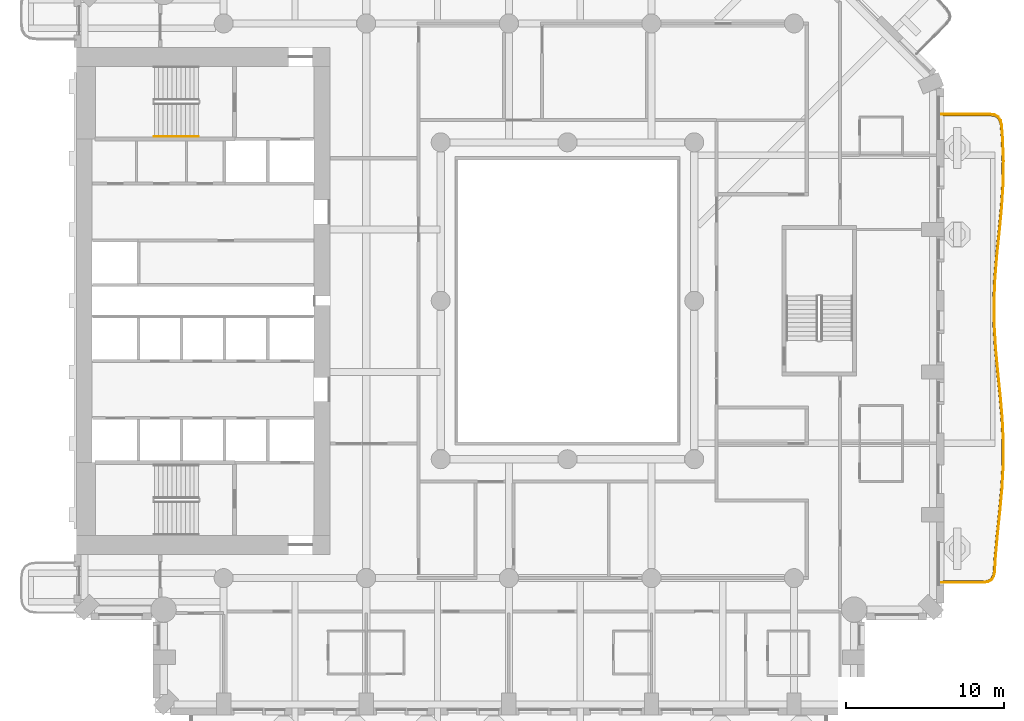
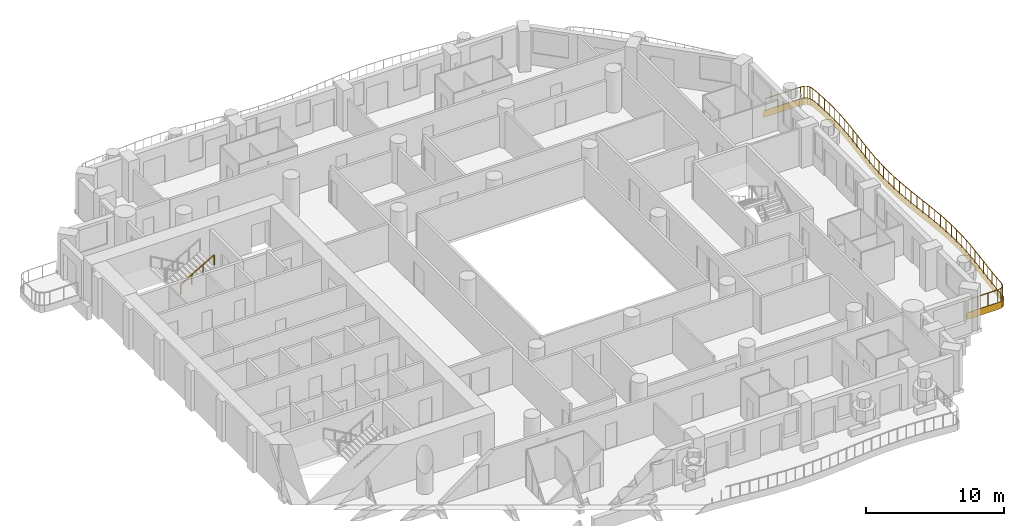
# One storey, part 15 of 19: 2 railings, 1 covering.
"""IFC4 building model written with IfcOpenShell, lengths in metres."""

import ifcopenshell
import ifcopenshell.guid

model = None  # the IFC model being written
_history = None  # IfcOwnerHistory: only IFC2X3 demands one
_inside = {}  # id of a spatial element -> (the spatial element, [elements in it])
_under = {}  # id of a project, library or spatial element -> (it, [spatial elements below it])
_declared = {}  # id of a project -> (the project, [libraries it declares])
_typed = {}  # id of a type object -> (the type object, [elements of that type])
_made_of = {}  # id of a material, layer set ... -> (it, [elements and type objects made of it])


def new_model(schema):
    """Start an empty IFC model of exactly this schema.

    Asked for "IFC4X3", IfcOpenShell would pick the latest addendum, in which some entities
    have other attributes; the version numbers below select the first issue.
    IFC2X3 requires an IfcOwnerHistory on every rooted entity: one is made here for all.
    """
    global model, _history
    if schema == "IFC4X3":
        model = ifcopenshell.file(schema_version=(4, 3, 0, 0))
    else:
        model = ifcopenshell.file(schema=schema)
    _inside.clear()
    _under.clear()
    _declared.clear()
    _typed.clear()
    _made_of.clear()
    _history = None
    if model.schema == "IFC2X3":
        org = make("IfcOrganization", Name="unknown")
        user = make(
            "IfcPersonAndOrganization",
            ThePerson=make("IfcPerson", FamilyName="unknown"),
            TheOrganization=org,
        )
        app = make(
            "IfcApplication",
            ApplicationDeveloper=org,
            Version="unknown",
            ApplicationFullName="unknown",
            ApplicationIdentifier="unknown",
        )
        _history = make(
            "IfcOwnerHistory",
            OwningUser=user,
            OwningApplication=app,
            ChangeAction="ADDED",
            CreationDate=0,
        )
    return model


def make(cls, **values):
    """One entity of the class cls with the attributes given. An attribute that is None is left unset."""
    return model.create_entity(
        cls, **{name: value for name, value in values.items() if value is not None}
    )


def rooted(cls, **values):
    """An entity with a GlobalId (a new one), such as an element, a storey or a relation."""
    return make(cls, GlobalId=ifcopenshell.guid.new(), OwnerHistory=_history, **values)


def si_unit(unit_type, name, prefix=None):
    """IfcSIUnit, for example si_unit("LENGTHUNIT", "METRE", prefix="MILLI")."""
    return make("IfcSIUnit", UnitType=unit_type, Prefix=prefix, Name=name)


def assignment(units):
    """IfcUnitAssignment: the units of a project."""
    return None if units is None else make("IfcUnitAssignment", Units=units)


def point(xyz):
    """IfcCartesianPoint."""
    return None if xyz is None else make("IfcCartesianPoint", Coordinates=xyz)


def direction(xyz):
    """IfcDirection."""
    return None if xyz is None else make("IfcDirection", DirectionRatios=xyz)


def frame(location, z_axis=None, x_axis=None):
    """IfcAxis2Placement3D, a coordinate frame: its origin and axes. An axis left out is left unset."""
    return make(
        "IfcAxis2Placement3D",
        Location=point(location),
        Axis=direction(z_axis),
        RefDirection=direction(x_axis),
    )


def frame_2d(location, x_axis=None):
    """IfcAxis2Placement2D, a coordinate frame in the plane: its origin and x axis."""
    return make(
        "IfcAxis2Placement2D", Location=point(location), RefDirection=direction(x_axis)
    )


def origin():
    """The frame at (0, 0, 0) with its axes left unset."""
    return frame((0.0, 0.0, 0.0))


def origin_2d():
    """The frame at (0, 0) in the plane with its x axis left unset."""
    return frame_2d((0.0, 0.0))


def place(relative_to, where):
    """IfcLocalPlacement: puts the frame where relative to a parent placement (None: the world)."""
    return make(
        "IfcLocalPlacement", PlacementRelTo=relative_to, RelativePlacement=where
    )


def context(
    kind, dimensions, precision=None, world=None, true_north=None, identifier=None
):
    """IfcGeometricRepresentationContext, for example the 3D "Model" context."""
    return make(
        "IfcGeometricRepresentationContext",
        ContextIdentifier=identifier,
        ContextType=kind,
        CoordinateSpaceDimension=dimensions,
        Precision=precision,
        WorldCoordinateSystem=world,
        TrueNorth=true_north,
    )


def subcontext(parent, identifier, kind, view, scale=None):
    """IfcGeometricRepresentationSubContext, for example "Body" below "Model"."""
    return make(
        "IfcGeometricRepresentationSubContext",
        ContextIdentifier=identifier,
        ContextType=kind,
        ParentContext=parent,
        TargetScale=scale,
        TargetView=view,
    )


def project(units=None, contexts=None):
    """IfcProject with its units and contexts."""
    return rooted(
        "IfcProject",
        Name="project",
        RepresentationContexts=contexts,
        UnitsInContext=assignment(units),
    )


def spatial(cls, under=None, at=None, **own):
    """A site, building, storey or space (cls), placed at a placement, below another one or the project."""
    s = rooted(cls, ObjectPlacement=at, **own)
    if under is not None:
        _under.setdefault(under.id(), (under, []))[1].append(s)
    return s


def polyline(points):
    """IfcPolyline through the points."""
    return make("IfcPolyline", Points=[point(p) for p in points])


def profile(cls, at=None, kind="AREA", **sizes):
    """A parametric profile (cls). Its sizes go by their IFC names, for example OverallWidth=200.0."""
    return make(cls, ProfileType=kind, Position=at, **sizes)


def rectangle(**sizes):
    """IfcRectangleProfileDef."""
    return profile("IfcRectangleProfileDef", **sizes)


def outline(outer, holes=None, kind="AREA"):
    """IfcArbitraryClosedProfileDef: a profile drawn as a closed curve; with holes, ...WithVoids."""
    if holes is None:
        return make("IfcArbitraryClosedProfileDef", ProfileType=kind, OuterCurve=outer)
    return make(
        "IfcArbitraryProfileDefWithVoids",
        ProfileType=kind,
        OuterCurve=outer,
        InnerCurves=holes,
    )


def extrude(swept, where, along, depth):
    """IfcExtrudedAreaSolid: the profile swept, set in the frame where, extruded along a direction by depth."""
    return make(
        "IfcExtrudedAreaSolid",
        SweptArea=swept,
        Position=where,
        ExtrudedDirection=direction(along),
        Depth=depth,
    )


def shape(context_of_items, identifier, shape_type, items):
    """IfcShapeRepresentation: the items that make up one representation, for example the "Body"."""
    return make(
        "IfcShapeRepresentation",
        ContextOfItems=context_of_items,
        RepresentationIdentifier=identifier,
        RepresentationType=shape_type,
        Items=items,
    )


def material(Name=None, Category=None):
    """IfcMaterial."""
    return make("IfcMaterial", Name=Name, Category=Category)


def layer(
    of_material, thickness, ventilated=None, Name=None, Category=None, Priority=None
):
    """IfcMaterialLayer: one layer of a wall or slab, of a material (None: an air gap)."""
    return make(
        "IfcMaterialLayer",
        Material=of_material,
        LayerThickness=thickness,
        IsVentilated=ventilated,
        Name=Name,
        Category=Category,
        Priority=Priority,
    )


def layer_set(layers, Name=None):
    """IfcMaterialLayerSet."""
    return make("IfcMaterialLayerSet", MaterialLayers=layers, LayerSetName=Name)


def made_of(thing, what):
    """Note that an element or type object is made of a material, layer set ...; save() writes the relation."""
    if what is not None:
        _made_of.setdefault(what.id(), (what, []))[1].append(thing)
    return thing


def type_object(cls, material=None, **own):
    """A type object (cls), such as IfcWallType, which elements share."""
    return made_of(rooted(cls, **own), material)


def element(
    cls,
    number,
    at=None,
    inside=None,
    cuts=None,
    type_object=None,
    material=None,
    context=None,
    identifier="Body",
    shape_type=None,
    held_by="IfcProductDefinitionShape",
    body=None,
    shapes=None,
    **own,
):
    """One element of the class cls, such as IfcWall. Its Tag is "e" and its number.

    at: its placement. inside: the storey or other place that contains it. cuts: it is an
    opening in that element (IfcRelVoidsElement). A single representation is given by context,
    identifier, shape_type and body (its items); several are given by shapes. held_by: the class
    of the entity that holds the representations. save() writes the other relations.
    """
    e = rooted(cls, Tag="e%d" % number, ObjectPlacement=at, **own)
    if body is not None:
        shapes = [shape(context, identifier, shape_type, body)]
    if shapes is not None:
        e.Representation = make(held_by, Representations=shapes)
    if inside is not None:
        _inside.setdefault(inside.id(), (inside, []))[1].append(e)
    if cuts is not None:
        rooted(
            "IfcRelVoidsElement", RelatingBuildingElement=cuts, RelatedOpeningElement=e
        )
    if type_object is not None:
        _typed.setdefault(type_object.id(), (type_object, []))[1].append(e)
    return made_of(e, material)


def aggregate(whole, parts):
    """IfcRelAggregates: a whole, such as a stair, and the parts it consists of."""
    return rooted("IfcRelAggregates", RelatingObject=whole, RelatedObjects=parts)


def save(model, path):
    """Write the relations noted so far, then the file.

    IfcRelAggregates (storeys below a building ...), IfcRelContainedInSpatialStructure (elements
    in a storey), IfcRelDefinesByType, IfcRelAssociatesMaterial and IfcRelDeclares: one each for
    every whole, place, type object, material and project.
    """
    for whole, parts in _under.values():
        aggregate(whole, parts)
    for where, things in _inside.values():
        rooted(
            "IfcRelContainedInSpatialStructure",
            RelatedElements=things,
            RelatingStructure=where,
        )
    for kind, things in _typed.values():
        rooted("IfcRelDefinesByType", RelatedObjects=things, RelatingType=kind)
    for what, things in _made_of.values():
        rooted("IfcRelAssociatesMaterial", RelatedObjects=things, RelatingMaterial=what)
    for by, libraries in _declared.values():
        rooted("IfcRelDeclares", RelatingContext=by, RelatedDefinitions=libraries)
    model.write(path)


model = new_model("IFC4")

# Units and contexts
model_context = context("Model", 3, precision=1e-05, world=origin(), true_north=direction((0.0, 1.0)))
body_context = subcontext(model_context, "Body", "Model", "MODEL_VIEW")
ifc_project = project(units=[si_unit("LENGTHUNIT", "METRE"), si_unit("AREAUNIT", "SQUARE_METRE"), si_unit("VOLUMEUNIT", "CUBIC_METRE"), si_unit("PLANEANGLEUNIT", "RADIAN"), si_unit("MASSUNIT", "GRAM", prefix="KILO")], contexts=[model_context])

# Site, building, storey
site_placement = place(None, origin())
site = spatial("IfcSite", under=ifc_project, at=site_placement, CompositionType="ELEMENT")
building_placement = place(site_placement, origin())
building = spatial("IfcBuilding", under=site, at=building_placement, Name="Cypress Arch Tower", CompositionType="ELEMENT")
storey_placement = place(building_placement, frame((0.0, 0.0, 66.300048828125)))
storey = spatial("IfcBuildingStorey", under=building, at=storey_placement, Name="L10", CompositionType="ELEMENT", Elevation=66.300048828125)

# Covering
ifc_material_1 = material(Name="White powder-coated aluminium fascia", Category="aluminium")
ifc_layer = layer(ifc_material_1, 0.050048828125)
ifc_layer_set = layer_set([ifc_layer], Name="Balcony fascia BF50")
covering_type = type_object("IfcCoveringType", Name="Balcony fascia BF50", PredefinedType="CLADDING", material=ifc_layer_set)
covering_placement = place(storey_placement, frame((0.0, 0.0, -0.60009765625)))
element("IfcCovering", 1, at=covering_placement, inside=storey, type_object=covering_type, Name="Balcony fascia L10-A06", PredefinedType="CLADDING", context=body_context, shape_type="SweptSolid", body=[
    extrude(outline(polyline([(27.66455078125, 11.800048828125), (27.971923828125, 11.756591796875), (28.208251953125, 11.621826171875), (28.361572265625, 11.39697265625), (28.42919921875, 11.09375), (28.494140625, 10.27783203125), (28.54833984375, 8.800537109375), (28.525146484375, 7.322998046875), (28.430419921875, 5.845947265625), (28.288818359375, 4.3701171875), (28.137451171875, 2.895263671875), (28.01513671875, 1.421875), (27.95361328125, -0.05078125), (27.968994140625, -1.523193359375), (28.05712890625, -2.99609375), (28.195068359375, -4.47021484375), (28.347412109375, -5.9453125), (28.474609375, -7.421630859375), (28.54345703125, -8.89892578125), (28.5361328125, -10.37646484375), (28.45458984375, -11.853759765625), (28.31982421875, -13.329833984375), (28.1669921875, -14.8046875), (28.035888671875, -16.278564453125), (27.994140625, -17.09228515625), (27.93505859375, -17.395751953125), (27.7880859375, -17.621337890625), (27.55517578125, -17.756591796875), (27.2490234375, -17.800048828125), (24.60107421875, -17.800048828125), (24.60107421875, -17.75), (27.24560546875, -17.75), (27.53857421875, -17.70849609375), (27.752685546875, -17.583984375), (27.887939453125, -17.376708984375), (27.9443359375, -17.086181640625), (27.986083984375, -16.27490234375), (28.1171875, -14.800048828125), (28.27001953125, -13.324951171875), (28.404541015625, -11.85009765625), (28.486083984375, -10.375), (28.493408203125, -8.89990234375), (28.4248046875, -7.425048828125), (28.297607421875, -5.949951171875), (28.145263671875, -4.47509765625), (28.007080078125, -3.0), (27.9189453125, -1.52490234375), (27.90380859375, -0.050048828125), (27.96533203125, 1.425048828125), (28.087646484375, 2.89990234375), (28.2392578125, 4.375), (28.380615234375, 5.85009765625), (28.47509765625, 7.324951171875), (28.498291015625, 8.800048828125), (28.4443359375, 10.27490234375), (28.379638671875, 11.086181640625), (28.31494140625, 11.376708984375), (28.173583984375, 11.583984375), (27.95556640625, 11.70849609375), (27.660888671875, 11.75), (24.60107421875, 11.75), (24.60107421875, 11.800048828125), (27.66455078125, 11.800048828125)])), origin(), (0.0, 0.0, 1.0), 0.60009765625),
])

# Railings
ifc_material_2 = material(Name="Powder-coated steel posts and rods, 100 mm clear between rods", Category="steel")
railing_type_1 = type_object("IfcRailingType", Name="Balcony guard GR1100", PredefinedType="GUARDRAIL", material=ifc_material_2)
railing_1_placement = place(storey_placement, frame((24.75, 11.699951171875, 0.0)))
element("IfcRailing", 2, at=railing_1_placement, inside=storey, type_object=railing_type_1, Name="Balcony guard L10-A06", PredefinedType="GUARDRAIL", context=body_context, shape_type="SweptSolid", body=[
    extrude(rectangle(XDim=0.050048828125, YDim=0.050048828125, at=origin_2d()), frame((0.0, 0.0, 1.0751953125), z_axis=(1.0, 0.0, 0.0), x_axis=(0.0, 1.0, 0.0)), (0.0, 0.0, 1.0), 2.907470703125),
    extrude(rectangle(XDim=0.050048828125, YDim=0.050048828125, at=origin_2d()), frame((2.907470703125, 0.0, 1.0751953125), z_axis=(0.990273226818, -0.139136394401, 0.0), x_axis=(0.139136394401, 0.990273226818, 0.0)), (0.0, 0.0, 1.0), 0.2841796875),
    extrude(rectangle(XDim=0.050048828125, YDim=0.050048828125, at=origin_2d()), frame((3.18896484375, -0.03955078125, 1.0751953125), z_axis=(0.868439073413, -0.495795901325, 0.0), x_axis=(0.495795901325, 0.868439073413, 0.0)), (0.0, 0.0, 1.0), 0.22998046875),
    extrude(rectangle(XDim=0.050048828125, YDim=0.050048828125, at=origin_2d()), frame((3.388671875, -0.153564453125, 1.0751953125), z_axis=(0.563007159099, -0.826452018452, 0.0), x_axis=(0.826452018452, 0.563007159099, 0.0)), (0.0, 0.0, 1.0), 0.229736328125),
    extrude(rectangle(XDim=0.050048828125, YDim=0.050048828125, at=origin_2d()), frame((3.51806640625, -0.343505859375, 1.0751953125), z_axis=(0.218020932008, -0.975944093279, 0.0), x_axis=(0.975944093279, 0.218020932008, 0.0)), (0.0, 0.0, 1.0), 0.284423828125),
    extrude(rectangle(XDim=0.050048828125, YDim=0.050048828125, at=origin_2d()), frame((3.580078125, -0.62109375, 1.0751953125), z_axis=(0.07934949262, -0.996846857858, 0.0), x_axis=(0.996846857858, 0.07934949262, 0.0)), (0.0, 0.0, 1.0), 0.80908203125),
    extrude(rectangle(XDim=0.050048828125, YDim=0.050048828125, at=origin_2d()), frame((3.644287109375, -1.427734375, 1.0751953125), z_axis=(0.03661336552, -0.999329505952, 0.0), x_axis=(0.999329505952, 0.03661336552, 0.0)), (0.0, 0.0, 1.0), 1.4736328125),
    extrude(rectangle(XDim=0.050048828125, YDim=0.050048828125, at=origin_2d()), frame((3.6982421875, -2.900390625, 1.0751953125), z_axis=(-0.015747383988, -0.999876002261, 0.0), x_axis=(0.999876002261, -0.015747383988, 0.0)), (0.0, 0.0, 1.0), 1.472900390625),
    extrude(rectangle(XDim=0.050048828125, YDim=0.050048828125, at=origin_2d()), frame((3.675048828125, -4.373046875, 1.0751953125), z_axis=(-0.063850878169, -0.997959450758, 0.0), x_axis=(0.997959450758, -0.063850878169, 0.0)), (0.0, 0.0, 1.0), 1.475830078125),
    extrude(rectangle(XDim=0.050048828125, YDim=0.050048828125, at=origin_2d()), frame((3.580810546875, -5.845947265625, 1.0751953125), z_axis=(-0.095454811114, -0.995433764263, 0.0), x_axis=(0.995433764263, -0.095454811114, 0.0)), (0.0, 0.0, 1.0), 1.48095703125),
    extrude(rectangle(XDim=0.050048828125, YDim=0.050048828125, at=origin_2d()), frame((3.439453125, -7.320068359375, 1.0751953125), z_axis=(-0.102225179142, -0.994761284304, 0.0), x_axis=(0.994761284304, -0.102225179142, 0.0)), (0.0, 0.0, 1.0), 1.483154296875),
    extrude(rectangle(XDim=0.050048828125, YDim=0.050048828125, at=origin_2d()), frame((3.287841796875, -8.79541015625, 1.0751953125), z_axis=(-0.0827317792, -0.99657185025, 0.0), x_axis=(0.99657185025, -0.0827317792, 0.0)), (0.0, 0.0, 1.0), 1.4814453125),
    extrude(rectangle(XDim=0.050048828125, YDim=0.050048828125, at=origin_2d()), frame((3.165283203125, -10.271728515625, 1.0751953125), z_axis=(-0.041603077121, -0.999134217197, 0.0), x_axis=(0.999134217197, -0.041603077121, 0.0)), (0.0, 0.0, 1.0), 1.478759765625),
    extrude(rectangle(XDim=0.050048828125, YDim=0.050048828125, at=origin_2d()), frame((3.103759765625, -11.749267578125, 1.0751953125), z_axis=(0.010244009713, -0.999947528756, 0.0), x_axis=(0.999947528756, 0.010244009713, 0.0)), (0.0, 0.0, 1.0), 1.4775390625),
    extrude(rectangle(XDim=0.050048828125, YDim=0.050048828125, at=origin_2d()), frame((3.118896484375, -13.226806640625, 1.0751953125), z_axis=(0.059727887599, -0.998214696066, 0.0), x_axis=(0.998214696066, 0.059727887599, 0.0)), (0.0, 0.0, 1.0), 1.479736328125),
    extrude(rectangle(XDim=0.050048828125, YDim=0.050048828125, at=origin_2d()), frame((3.207275390625, -14.703857421875, 1.0751953125), z_axis=(0.093208072267, -0.995646651812, 0.0), x_axis=(0.995646651812, 0.093208072267, 0.0)), (0.0, 0.0, 1.0), 1.482421875),
    extrude(rectangle(XDim=0.050048828125, YDim=0.050048828125, at=origin_2d()), frame((3.345458984375, -16.179931640625, 1.0751953125), z_axis=(0.102747469518, -0.994707473335, 0.0), x_axis=(0.994707473335, 0.102747469518, 0.0)), (0.0, 0.0, 1.0), 1.482666015625),
    extrude(rectangle(XDim=0.050048828125, YDim=0.050048828125, at=origin_2d()), frame((3.497802734375, -17.65478515625, 1.0751953125), z_axis=(0.085845961757, -0.996308421549, 0.0), x_axis=(0.996308421549, 0.085845961757, 0.0)), (0.0, 0.0, 1.0), 1.478759765625),
    extrude(rectangle(XDim=0.050048828125, YDim=0.050048828125, at=origin_2d()), frame((3.624755859375, -19.128173828125, 1.0751953125), z_axis=(0.046526718032, -0.99891704586, 0.0), x_axis=(0.99891704586, 0.046526718032, 0.0)), (0.0, 0.0, 1.0), 1.474609375),
    extrude(rectangle(XDim=0.050048828125, YDim=0.050048828125, at=origin_2d()), frame((3.693359375, -20.60107421875, 1.0751953125), z_axis=(-0.004974237913, -0.999987628402, 0.0), x_axis=(0.999987628402, -0.004974237913, 0.0)), (0.0, 0.0, 1.0), 1.472412109375),
    extrude(rectangle(XDim=0.050048828125, YDim=0.050048828125, at=origin_2d()), frame((3.68603515625, -22.073486328125, 1.0751953125), z_axis=(-0.05511252939, -0.998480149579, 0.0), x_axis=(0.998480149579, -0.05511252939, 0.0)), (0.0, 0.0, 1.0), 1.47509765625),
    extrude(rectangle(XDim=0.050048828125, YDim=0.050048828125, at=origin_2d()), frame((3.604736328125, -23.54638671875, 1.0751953125), z_axis=(-0.090907635833, -0.995859328293, 0.0), x_axis=(0.995859328293, -0.090907635833, 0.0)), (0.0, 0.0, 1.0), 1.479736328125),
    extrude(rectangle(XDim=0.050048828125, YDim=0.050048828125, at=origin_2d()), frame((3.47021484375, -25.02001953125, 1.0751953125), z_axis=(-0.102893534307, -0.994692374857, 0.0), x_axis=(0.994692374857, -0.102893534307, 0.0)), (0.0, 0.0, 1.0), 1.48291015625),
    extrude(rectangle(XDim=0.050048828125, YDim=0.050048828125, at=origin_2d()), frame((3.317626953125, -26.4951171875, 1.0751953125), z_axis=(-0.088783112182, -0.996050982125, 0.0), x_axis=(0.996050982125, -0.088783112182, 0.0)), (0.0, 0.0, 1.0), 1.482177734375),
    extrude(rectangle(XDim=0.050048828125, YDim=0.050048828125, at=origin_2d()), frame((3.18603515625, -27.971435546875, 1.0751953125), z_axis=(-0.051261020303, -0.998685289667, 0.0), x_axis=(0.998685289667, -0.051261020303, 0.0)), (0.0, 0.0, 1.0), 0.8095703125),
    extrude(rectangle(XDim=0.050048828125, YDim=0.050048828125, at=origin_2d()), frame((3.14453125, -28.780029296875, 1.0751953125), z_axis=(-0.190962169659, -0.981597396981, 0.0), x_axis=(0.981597396981, -0.190962169659, 0.0)), (0.0, 0.0, 1.0), 0.282470703125),
    extrude(rectangle(XDim=0.050048828125, YDim=0.050048828125, at=origin_2d()), frame((3.090576171875, -29.057373046875, 1.0751953125), z_axis=(-0.545443842793, -0.838147370311, 0.0), x_axis=(0.838147370311, -0.545443842793, 0.0)), (0.0, 0.0, 1.0), 0.22607421875),
    extrude(rectangle(XDim=0.050048828125, YDim=0.050048828125, at=origin_2d()), frame((2.96728515625, -29.246826171875, 1.0751953125), z_axis=(-0.864834315404, -0.502057374111, 0.0), x_axis=(0.502057374111, -0.864834315404, 0.0)), (0.0, 0.0, 1.0), 0.22607421875),
    extrude(rectangle(XDim=0.050048828125, YDim=0.050048828125, at=origin_2d()), frame((2.771728515625, -29.3603515625, 1.0751953125), z_axis=(-0.990138842943, -0.14008951315, 0.0), x_axis=(0.14008951315, -0.990138842943, 0.0)), (0.0, 0.0, 1.0), 0.2822265625),
    extrude(rectangle(XDim=0.050048828125, YDim=0.050048828125, at=origin_2d()), frame((2.4921875, -29.39990234375, 1.0751953125), z_axis=(-1.0, 0.0, 0.0), x_axis=(0.0, -1.0, 0.0)), (0.0, 0.0, 1.0), 2.4921875),
    extrude(rectangle(XDim=0.0400390625, YDim=0.0400390625, at=origin_2d()), origin(), (0.0, 0.0, 1.0), 1.050048828125),
    extrude(rectangle(XDim=0.0400390625, YDim=0.0400390625, at=origin_2d()), frame((0.96923828125, 0.0, 0.0)), (0.0, 0.0, 1.0), 1.050048828125),
    extrude(rectangle(XDim=0.0400390625, YDim=0.0400390625, at=origin_2d()), frame((1.938232421875, 0.0, 0.0)), (0.0, 0.0, 1.0), 1.050048828125),
    extrude(rectangle(XDim=0.0400390625, YDim=0.0400390625, at=origin_2d()), frame((2.907470703125, 0.0, 0.0)), (0.0, 0.0, 1.0), 1.050048828125),
    extrude(rectangle(XDim=0.0400390625, YDim=0.0400390625, at=origin_2d()), frame((3.18896484375, -0.03955078125, 0.0)), (0.0, 0.0, 1.0), 1.050048828125),
    extrude(rectangle(XDim=0.0400390625, YDim=0.0400390625, at=origin_2d()), frame((3.388671875, -0.153564453125, 0.0)), (0.0, 0.0, 1.0), 1.050048828125),
    extrude(rectangle(XDim=0.0400390625, YDim=0.0400390625, at=origin_2d()), frame((3.51806640625, -0.343505859375, 0.0)), (0.0, 0.0, 1.0), 1.050048828125),
    extrude(rectangle(XDim=0.0400390625, YDim=0.0400390625, at=origin_2d()), frame((3.580078125, -0.62109375, 0.0)), (0.0, 0.0, 1.0), 1.050048828125),
    extrude(rectangle(XDim=0.0400390625, YDim=0.0400390625, at=origin_2d()), frame((3.644287109375, -1.427734375, 0.0)), (0.0, 0.0, 1.0), 1.050048828125),
    extrude(rectangle(XDim=0.0400390625, YDim=0.0400390625, at=origin_2d()), frame((3.67138671875, -2.1640625, 0.0)), (0.0, 0.0, 1.0), 1.050048828125),
    extrude(rectangle(XDim=0.0400390625, YDim=0.0400390625, at=origin_2d()), frame((3.6982421875, -2.900390625, 0.0)), (0.0, 0.0, 1.0), 1.050048828125),
    extrude(rectangle(XDim=0.0400390625, YDim=0.0400390625, at=origin_2d()), frame((3.6865234375, -3.63671875, 0.0)), (0.0, 0.0, 1.0), 1.050048828125),
    extrude(rectangle(XDim=0.0400390625, YDim=0.0400390625, at=origin_2d()), frame((3.675048828125, -4.373046875, 0.0)), (0.0, 0.0, 1.0), 1.050048828125),
    extrude(rectangle(XDim=0.0400390625, YDim=0.0400390625, at=origin_2d()), frame((3.6279296875, -5.109375, 0.0)), (0.0, 0.0, 1.0), 1.050048828125),
    extrude(rectangle(XDim=0.0400390625, YDim=0.0400390625, at=origin_2d()), frame((3.580810546875, -5.845947265625, 0.0)), (0.0, 0.0, 1.0), 1.050048828125),
    extrude(rectangle(XDim=0.0400390625, YDim=0.0400390625, at=origin_2d()), frame((3.51025390625, -6.5830078125, 0.0)), (0.0, 0.0, 1.0), 1.050048828125),
    extrude(rectangle(XDim=0.0400390625, YDim=0.0400390625, at=origin_2d()), frame((3.439453125, -7.320068359375, 0.0)), (0.0, 0.0, 1.0), 1.050048828125),
    extrude(rectangle(XDim=0.0400390625, YDim=0.0400390625, at=origin_2d()), frame((3.36376953125, -8.0576171875, 0.0)), (0.0, 0.0, 1.0), 1.050048828125),
    extrude(rectangle(XDim=0.0400390625, YDim=0.0400390625, at=origin_2d()), frame((3.287841796875, -8.79541015625, 0.0)), (0.0, 0.0, 1.0), 1.050048828125),
    extrude(rectangle(XDim=0.0400390625, YDim=0.0400390625, at=origin_2d()), frame((3.2265625, -9.53369140625, 0.0)), (0.0, 0.0, 1.0), 1.050048828125),
    extrude(rectangle(XDim=0.0400390625, YDim=0.0400390625, at=origin_2d()), frame((3.165283203125, -10.271728515625, 0.0)), (0.0, 0.0, 1.0), 1.050048828125),
    extrude(rectangle(XDim=0.0400390625, YDim=0.0400390625, at=origin_2d()), frame((3.134521484375, -11.010498046875, 0.0)), (0.0, 0.0, 1.0), 1.050048828125),
    extrude(rectangle(XDim=0.0400390625, YDim=0.0400390625, at=origin_2d()), frame((3.103759765625, -11.749267578125, 0.0)), (0.0, 0.0, 1.0), 1.050048828125),
    extrude(rectangle(XDim=0.0400390625, YDim=0.0400390625, at=origin_2d()), frame((3.111328125, -12.488037109375, 0.0)), (0.0, 0.0, 1.0), 1.050048828125),
    extrude(rectangle(XDim=0.0400390625, YDim=0.0400390625, at=origin_2d()), frame((3.118896484375, -13.226806640625, 0.0)), (0.0, 0.0, 1.0), 1.050048828125),
    extrude(rectangle(XDim=0.0400390625, YDim=0.0400390625, at=origin_2d()), frame((3.1630859375, -13.96533203125, 0.0)), (0.0, 0.0, 1.0), 1.050048828125),
    extrude(rectangle(XDim=0.0400390625, YDim=0.0400390625, at=origin_2d()), frame((3.207275390625, -14.703857421875, 0.0)), (0.0, 0.0, 1.0), 1.050048828125),
    extrude(rectangle(XDim=0.0400390625, YDim=0.0400390625, at=origin_2d()), frame((3.2763671875, -15.44189453125, 0.0)), (0.0, 0.0, 1.0), 1.050048828125),
    extrude(rectangle(XDim=0.0400390625, YDim=0.0400390625, at=origin_2d()), frame((3.345458984375, -16.179931640625, 0.0)), (0.0, 0.0, 1.0), 1.050048828125),
    extrude(rectangle(XDim=0.0400390625, YDim=0.0400390625, at=origin_2d()), frame((3.421630859375, -16.91748046875, 0.0)), (0.0, 0.0, 1.0), 1.050048828125),
    extrude(rectangle(XDim=0.0400390625, YDim=0.0400390625, at=origin_2d()), frame((3.497802734375, -17.65478515625, 0.0)), (0.0, 0.0, 1.0), 1.050048828125),
    extrude(rectangle(XDim=0.0400390625, YDim=0.0400390625, at=origin_2d()), frame((3.561279296875, -18.3916015625, 0.0)), (0.0, 0.0, 1.0), 1.050048828125),
    extrude(rectangle(XDim=0.0400390625, YDim=0.0400390625, at=origin_2d()), frame((3.624755859375, -19.128173828125, 0.0)), (0.0, 0.0, 1.0), 1.050048828125),
    extrude(rectangle(XDim=0.0400390625, YDim=0.0400390625, at=origin_2d()), frame((3.6591796875, -19.86474609375, 0.0)), (0.0, 0.0, 1.0), 1.050048828125),
    extrude(rectangle(XDim=0.0400390625, YDim=0.0400390625, at=origin_2d()), frame((3.693359375, -20.60107421875, 0.0)), (0.0, 0.0, 1.0), 1.050048828125),
    extrude(rectangle(XDim=0.0400390625, YDim=0.0400390625, at=origin_2d()), frame((3.689697265625, -21.33740234375, 0.0)), (0.0, 0.0, 1.0), 1.050048828125),
    extrude(rectangle(XDim=0.0400390625, YDim=0.0400390625, at=origin_2d()), frame((3.68603515625, -22.073486328125, 0.0)), (0.0, 0.0, 1.0), 1.050048828125),
    extrude(rectangle(XDim=0.0400390625, YDim=0.0400390625, at=origin_2d()), frame((3.6455078125, -22.81005859375, 0.0)), (0.0, 0.0, 1.0), 1.050048828125),
    extrude(rectangle(XDim=0.0400390625, YDim=0.0400390625, at=origin_2d()), frame((3.604736328125, -23.54638671875, 0.0)), (0.0, 0.0, 1.0), 1.050048828125),
    extrude(rectangle(XDim=0.0400390625, YDim=0.0400390625, at=origin_2d()), frame((3.53759765625, -24.283203125, 0.0)), (0.0, 0.0, 1.0), 1.050048828125),
    extrude(rectangle(XDim=0.0400390625, YDim=0.0400390625, at=origin_2d()), frame((3.47021484375, -25.02001953125, 0.0)), (0.0, 0.0, 1.0), 1.050048828125),
    extrude(rectangle(XDim=0.0400390625, YDim=0.0400390625, at=origin_2d()), frame((3.39404296875, -25.757568359375, 0.0)), (0.0, 0.0, 1.0), 1.050048828125),
    extrude(rectangle(XDim=0.0400390625, YDim=0.0400390625, at=origin_2d()), frame((3.317626953125, -26.4951171875, 0.0)), (0.0, 0.0, 1.0), 1.050048828125),
    extrude(rectangle(XDim=0.0400390625, YDim=0.0400390625, at=origin_2d()), frame((3.251953125, -27.2333984375, 0.0)), (0.0, 0.0, 1.0), 1.050048828125),
    extrude(rectangle(XDim=0.0400390625, YDim=0.0400390625, at=origin_2d()), frame((3.18603515625, -27.971435546875, 0.0)), (0.0, 0.0, 1.0), 1.050048828125),
    extrude(rectangle(XDim=0.0400390625, YDim=0.0400390625, at=origin_2d()), frame((3.14453125, -28.780029296875, 0.0)), (0.0, 0.0, 1.0), 1.050048828125),
    extrude(rectangle(XDim=0.0400390625, YDim=0.0400390625, at=origin_2d()), frame((3.090576171875, -29.057373046875, 0.0)), (0.0, 0.0, 1.0), 1.050048828125),
    extrude(rectangle(XDim=0.0400390625, YDim=0.0400390625, at=origin_2d()), frame((2.96728515625, -29.246826171875, 0.0)), (0.0, 0.0, 1.0), 1.050048828125),
    extrude(rectangle(XDim=0.0400390625, YDim=0.0400390625, at=origin_2d()), frame((2.771728515625, -29.3603515625, 0.0)), (0.0, 0.0, 1.0), 1.050048828125),
    extrude(rectangle(XDim=0.0400390625, YDim=0.0400390625, at=origin_2d()), frame((2.4921875, -29.39990234375, 0.0)), (0.0, 0.0, 1.0), 1.050048828125),
    extrude(rectangle(XDim=0.0400390625, YDim=0.0400390625, at=origin_2d()), frame((1.661376953125, -29.39990234375, 0.0)), (0.0, 0.0, 1.0), 1.050048828125),
    extrude(rectangle(XDim=0.0400390625, YDim=0.0400390625, at=origin_2d()), frame((0.830810546875, -29.39990234375, 0.0)), (0.0, 0.0, 1.0), 1.050048828125),
    extrude(rectangle(XDim=0.0400390625, YDim=0.0400390625, at=origin_2d()), frame((0.0, -29.39990234375, 0.0)), (0.0, 0.0, 1.0), 1.050048828125),
])
ifc_material_3 = material(Name="Black powder-coated steel square bar 48 mm", Category="steel")
railing_type_2 = type_object("IfcRailingType", Name="Stair handrail HR1", PredefinedType="HANDRAIL", material=ifc_material_3)
railing_2_placement = place(storey_placement, frame((-25.074951171875, 10.375, 1.963623046875)))
element("IfcRailing", 3, at=railing_2_placement, inside=storey, type_object=railing_type_2, Name="L10 B stair handrail 2", PredefinedType="HANDRAIL", context=body_context, shape_type="SweptSolid", body=[
    extrude(rectangle(XDim=0.048095703125, YDim=0.048095703125, at=origin_2d()), frame((0.0, 0.0, 0.8759765625), z_axis=(0.863393664356, 0.0, 0.504530851732), x_axis=(0.0, 1.0, 0.0)), (0.0, 0.0, 1.0), 3.2431640625),
    extrude(rectangle(XDim=0.0419921875, YDim=0.0419921875, at=origin_2d()), origin(), (0.0, 0.0, 1.0), 0.851806640625),
    extrude(rectangle(XDim=0.0419921875, YDim=0.0419921875, at=origin_2d()), frame((0.933349609375, 0.0, 0.54541015625)), (0.0, 0.0, 1.0), 0.851806640625),
    extrude(rectangle(XDim=0.0419921875, YDim=0.0419921875, at=origin_2d()), frame((1.86669921875, 0.0, 1.0908203125)), (0.0, 0.0, 1.0), 0.851806640625),
    extrude(rectangle(XDim=0.0419921875, YDim=0.0419921875, at=origin_2d()), frame((2.800048828125, 0.0, 1.63623046875)), (0.0, 0.0, 1.0), 0.851806640625),
])

save(model, "model.ifc")
